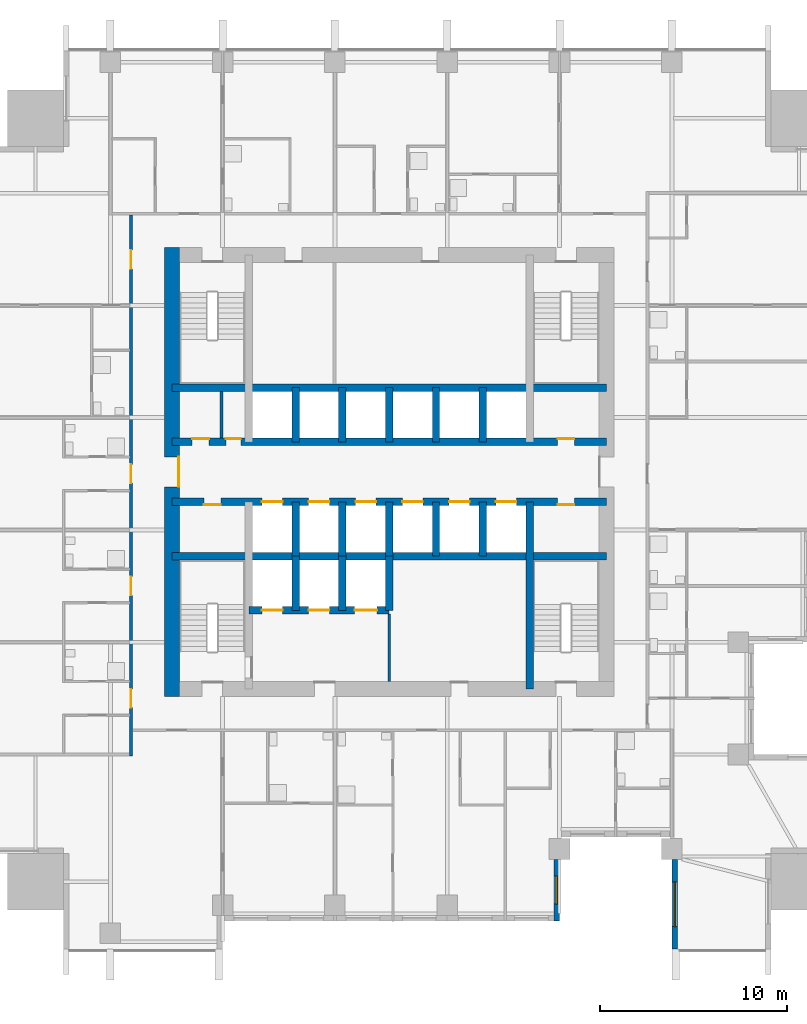
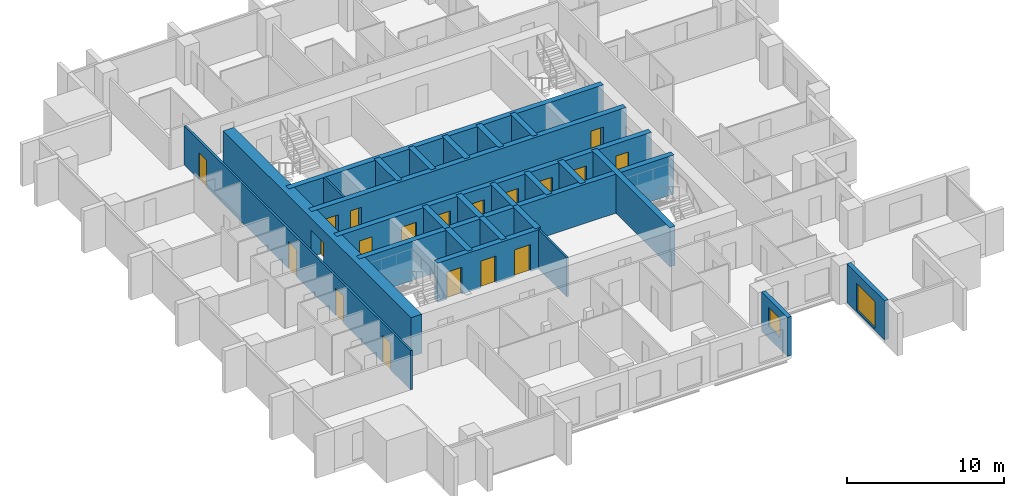
# One storey, part 5 of 10: 25 walls, 19 doors, 2 windows, 21 openings.
"""IFC4 building model written with IfcOpenShell, lengths in metres."""

from ifc_helpers import new_model, si_unit, direction, frame, frame_2d, origin, place, context, subcontext, project, spatial, rectangle, extrude, material, layer, layer_set, type_object, element, fill, save


model = new_model("IFC4")

# Units and contexts
model_context = context("Model", 3, precision=1e-05, world=origin(), true_north=direction((0.0, 1.0)))
body_context = subcontext(model_context, "Body", "Model", "MODEL_VIEW")
ifc_project = project(units=[si_unit("LENGTHUNIT", "METRE"), si_unit("AREAUNIT", "SQUARE_METRE"), si_unit("VOLUMEUNIT", "CUBIC_METRE"), si_unit("PLANEANGLEUNIT", "RADIAN"), si_unit("MASSUNIT", "GRAM", prefix="KILO")], contexts=[model_context])

# Site, building, storey
site_placement = place(None, origin())
site = spatial("IfcSite", under=ifc_project, at=site_placement, CompositionType="ELEMENT")
building_placement = place(site_placement, origin())
building = spatial("IfcBuilding", under=site, at=building_placement, Name="Amberfall Residences", CompositionType="ELEMENT")
storey_placement = place(building_placement, frame((0.0, 0.0, 105.10009765625)))
storey = spatial("IfcBuildingStorey", under=building, at=storey_placement, Name="L28", CompositionType="ELEMENT", Elevation=105.10009765625)

# Wall, opening, window
ifc_material_1 = material(Name="Pale stone cladding on insulated backing", Category="masonry")
ifc_layer_1 = layer(ifc_material_1, 0.300048828125)
ifc_layer_set_1 = layer_set([ifc_layer_1], Name="Bronze clad wall 300")
wall_type_1 = type_object("IfcWallType", Name="Bronze clad wall 300", PredefinedType="SOLIDWALL", material=ifc_layer_set_1)
wall_1_placement = place(storey_placement, frame((83.449951171875, 21.5, 0.0), z_axis=(0.0, 0.0, 1.0), x_axis=(0.0, 1.0, 0.0)))
wall_1 = element("IfcWall", 1, at=wall_1_placement, inside=storey, type_object=wall_type_1, Name="External wall L28 S", PredefinedType="SOLIDWALL", context=body_context, shape_type="SweptSolid", body=[
    extrude(rectangle(XDim=3.300048828125, YDim=0.300048828125, at=frame_2d((1.64990234375, 0.0))), origin(), (0.0, 0.0, 1.0), 3.0498046875),
])
opening_1_placement = place(wall_1_placement, frame((0.89990234375, 0.0, 0.89990234375)))
opening_1 = element("IfcOpeningElement", 2, at=opening_1_placement, cuts=wall_1, Name="Opening WN1", PredefinedType="OPENING", context=body_context, shape_type="SweptSolid", body=[
    extrude(rectangle(XDim=1.5, YDim=1.5, at=frame_2d((0.75, 0.75))), frame((0.0, 0.159912109375, 0.0), z_axis=(0.0, -1.0, 0.0), x_axis=(1.0, 0.0, 0.0)), (0.0, 0.0, 1.0), 0.320068359375),
])
ifc_material_2 = material(Name="Bronze aluminium framed glazing", Category="aluminium")
window_type_1 = type_object("IfcWindowType", Name="Window 1500 x 1500 bronze", PartitioningType="DOUBLE_PANEL_VERTICAL", PredefinedType="WINDOW", material=ifc_material_2)
window_1_placement = place(opening_1_placement, origin())
window_1 = element("IfcWindow", 3, at=window_1_placement, inside=storey, type_object=window_type_1, Name="Window L28 S", OverallHeight=1.5, OverallWidth=1.5, PartitioningType="DOUBLE_PANEL_VERTICAL", PredefinedType="WINDOW", context=body_context, shape_type="SweptSolid", body=[
    extrude(rectangle(XDim=1.5, YDim=1.5, at=frame_2d((0.75, 0.75))), frame((0.0, 0.030029296875, 0.0), z_axis=(0.0, -1.0, 0.0), x_axis=(1.0, 0.0, 0.0)), (0.0, 0.0, 1.0), 0.06005859375),
])
fill(opening_1, window_1)

wall_2_placement = place(storey_placement, frame((89.75, 24.800048828125, 0.0), z_axis=(0.0, 0.0, 1.0), x_axis=(0.0, -1.0, 0.0)))
wall_2 = element("IfcWall", 4, at=wall_2_placement, inside=storey, type_object=wall_type_1, Name="External wall L28 S", PredefinedType="SOLIDWALL", context=body_context, shape_type="SweptSolid", body=[
    extrude(rectangle(XDim=4.800048828125, YDim=0.300048828125, at=frame_2d((2.39990234375, 0.0))), origin(), (0.0, 0.0, 1.0), 3.0498046875),
])
opening_2_placement = place(wall_2_placement, frame((1.199951171875, 0.0, 0.14990234375)))
opening_2 = element("IfcOpeningElement", 5, at=opening_2_placement, cuts=wall_2, Name="Opening WN5", PredefinedType="OPENING", context=body_context, shape_type="SweptSolid", body=[
    extrude(rectangle(XDim=2.39990234375, YDim=2.10009765625, at=frame_2d((1.199951171875, 1.050048828125))), frame((0.0, 0.159912109375, 0.0), z_axis=(0.0, -1.0, 0.0), x_axis=(1.0, 0.0, 0.0)), (0.0, 0.0, 1.0), 0.320068359375),
])
window_type_2 = type_object("IfcWindowType", Name="Glazed opening 2400 x 2100 bronze", PartitioningType="DOUBLE_PANEL_VERTICAL", PredefinedType="WINDOW", material=ifc_material_2)
window_2_placement = place(opening_2_placement, origin())
window_2 = element("IfcWindow", 6, at=window_2_placement, inside=storey, type_object=window_type_2, Name="Window L28 S", OverallHeight=2.10009765625, OverallWidth=2.39990234375, PartitioningType="DOUBLE_PANEL_VERTICAL", PredefinedType="WINDOW", context=body_context, shape_type="SweptSolid", body=[
    extrude(rectangle(XDim=2.39990234375, YDim=2.10009765625, at=frame_2d((1.199951171875, 1.050048828125))), frame((0.0, 0.030029296875, 0.0), z_axis=(0.0, -1.0, 0.0), x_axis=(1.0, 0.0, 0.0)), (0.0, 0.0, 1.0), 0.06005859375),
])
fill(opening_2, window_2)

# Wall
ifc_material_3 = material(Name="Concrete C70", Category="concrete")
ifc_layer_2 = layer(ifc_material_3, 0.39990234375)
ifc_layer_set_2 = layer_set([ifc_layer_2], Name="Core wall 400 C70")
wall_type_2 = type_object("IfcWallType", Name="Core wall 400 C70", PredefinedType="SHEAR", material=ifc_layer_set_2)
wall_3_placement = place(storey_placement, frame((62.89990234375, 41.0, 0.0), z_axis=(0.0, 0.0, 1.0), x_axis=(1.0, 0.0, 0.0)))
element("IfcWall", 7, at=wall_3_placement, inside=storey, type_object=wall_type_2, Name="Core wall RW4 L28 H75", PredefinedType="SHEAR", context=body_context, shape_type="SweptSolid", body=[
    extrude(rectangle(XDim=23.2001953125, YDim=0.39990234375, at=frame_2d((11.60009765625, 0.0))), origin(), (0.0, 0.0, 1.0), 3.0498046875),
])

# Wall, openings, doors
wall_4_placement = place(storey_placement, frame((62.89990234375, 43.89990234375, 0.0), z_axis=(0.0, 0.0, 1.0), x_axis=(1.0, 0.0, 0.0)))
wall_4 = element("IfcWall", 8, at=wall_4_placement, inside=storey, type_object=wall_type_2, Name="Core wall RW4 L28 H104", PredefinedType="SHEAR", context=body_context, shape_type="SweptSolid", body=[
    extrude(rectangle(XDim=23.2001953125, YDim=0.39990234375, at=frame_2d((11.60009765625, 0.0))), origin(), (0.0, 0.0, 1.0), 3.0498046875),
])
opening_3_placement = place(wall_4_placement, frame((1.699951171875, 0.0, 0.0)))
opening_3 = element("IfcOpeningElement", 9, at=opening_3_placement, cuts=wall_4, Name="Opening RD1", PredefinedType="OPENING", context=body_context, shape_type="SweptSolid", body=[
    extrude(rectangle(XDim=0.89990234375, YDim=2.10009765625, at=frame_2d((0.449951171875, 1.050048828125))), frame((0.0, 0.2099609375, 0.0), z_axis=(0.0, -1.0, 0.0), x_axis=(1.0, 0.0, 0.0)), (0.0, 0.0, 1.0), 0.419921875),
])
opening_4_placement = place(wall_4_placement, frame((20.60009765625, 0.0, 0.0)))
opening_4 = element("IfcOpeningElement", 10, at=opening_4_placement, cuts=wall_4, Name="Opening RD1", PredefinedType="OPENING", context=body_context, shape_type="SweptSolid", body=[
    extrude(rectangle(XDim=0.89990234375, YDim=2.10009765625, at=frame_2d((0.449951171875, 1.050048828125))), frame((0.0, 0.2099609375, 0.0), z_axis=(0.0, -1.0, 0.0), x_axis=(1.0, 0.0, 0.0)), (0.0, 0.0, 1.0), 0.419921875),
])
opening_5_placement = place(wall_4_placement, frame((4.800048828125, 0.0, 0.0)))
opening_5 = element("IfcOpeningElement", 11, at=opening_5_placement, cuts=wall_4, Name="Opening LD1", PredefinedType="OPENING", context=body_context, shape_type="SweptSolid", body=[
    extrude(rectangle(XDim=1.10009765625, YDim=2.10009765625, at=frame_2d((0.550048828125, 1.050048828125))), frame((0.0, 0.2099609375, 0.0), z_axis=(0.0, -1.0, 0.0), x_axis=(1.0, 0.0, 0.0)), (0.0, 0.0, 1.0), 0.419921875),
])
opening_6_placement = place(wall_4_placement, frame((7.300048828125, 0.0, 0.0)))
opening_6 = element("IfcOpeningElement", 12, at=opening_6_placement, cuts=wall_4, Name="Opening LD1", PredefinedType="OPENING", context=body_context, shape_type="SweptSolid", body=[
    extrude(rectangle(XDim=1.10009765625, YDim=2.10009765625, at=frame_2d((0.550048828125, 1.050048828125))), frame((0.0, 0.2099609375, 0.0), z_axis=(0.0, -1.0, 0.0), x_axis=(1.0, 0.0, 0.0)), (0.0, 0.0, 1.0), 0.419921875),
])
opening_7_placement = place(wall_4_placement, frame((9.800048828125, 0.0, 0.0)))
opening_7 = element("IfcOpeningElement", 13, at=opening_7_placement, cuts=wall_4, Name="Opening LD1", PredefinedType="OPENING", context=body_context, shape_type="SweptSolid", body=[
    extrude(rectangle(XDim=1.10009765625, YDim=2.10009765625, at=frame_2d((0.550048828125, 1.050048828125))), frame((0.0, 0.2099609375, 0.0), z_axis=(0.0, -1.0, 0.0), x_axis=(1.0, 0.0, 0.0)), (0.0, 0.0, 1.0), 0.419921875),
])
opening_8_placement = place(wall_4_placement, frame((12.300048828125, 0.0, 0.0)))
opening_8 = element("IfcOpeningElement", 14, at=opening_8_placement, cuts=wall_4, Name="Opening LD1", PredefinedType="OPENING", context=body_context, shape_type="SweptSolid", body=[
    extrude(rectangle(XDim=1.10009765625, YDim=2.10009765625, at=frame_2d((0.550048828125, 1.050048828125))), frame((0.0, 0.2099609375, 0.0), z_axis=(0.0, -1.0, 0.0), x_axis=(1.0, 0.0, 0.0)), (0.0, 0.0, 1.0), 0.419921875),
])
opening_9_placement = place(wall_4_placement, frame((14.800048828125, 0.0, 0.0)))
opening_9 = element("IfcOpeningElement", 15, at=opening_9_placement, cuts=wall_4, Name="Opening LD1", PredefinedType="OPENING", context=body_context, shape_type="SweptSolid", body=[
    extrude(rectangle(XDim=1.10009765625, YDim=2.10009765625, at=frame_2d((0.550048828125, 1.050048828125))), frame((0.0, 0.2099609375, 0.0), z_axis=(0.0, -1.0, 0.0), x_axis=(1.0, 0.0, 0.0)), (0.0, 0.0, 1.0), 0.419921875),
])
opening_10_placement = place(wall_4_placement, frame((17.300048828125, 0.0, 0.0)))
opening_10 = element("IfcOpeningElement", 16, at=opening_10_placement, cuts=wall_4, Name="Opening LD1", PredefinedType="OPENING", context=body_context, shape_type="SweptSolid", body=[
    extrude(rectangle(XDim=1.10009765625, YDim=2.10009765625, at=frame_2d((0.550048828125, 1.050048828125))), frame((0.0, 0.2099609375, 0.0), z_axis=(0.0, -1.0, 0.0), x_axis=(1.0, 0.0, 0.0)), (0.0, 0.0, 1.0), 0.419921875),
])
ifc_material_4 = material(Name="Steel fire door set", Category="steel")
door_type_1 = type_object("IfcDoorType", Name="Lift landing door 1100 x 2100", OperationType="DOUBLE_DOOR_SLIDING", PredefinedType="DOOR", material=ifc_material_4)
door_1_placement = place(opening_5_placement, origin())
door_1 = element("IfcDoor", 17, at=door_1_placement, inside=storey, type_object=door_type_1, Name="Landing door LP1 L28", OperationType="DOUBLE_DOOR_SLIDING", OverallHeight=2.10009765625, OverallWidth=1.10009765625, PredefinedType="DOOR", context=body_context, shape_type="SweptSolid", body=[
    extrude(rectangle(XDim=1.10009765625, YDim=2.10009765625, at=frame_2d((0.550048828125, 1.050048828125))), frame((0.0, 0.02490234375, 0.0), z_axis=(0.0, -1.0, 0.0), x_axis=(1.0, 0.0, 0.0)), (0.0, 0.0, 1.0), 0.050048828125),
])
fill(opening_5, door_1)
door_2_placement = place(opening_6_placement, origin())
door_2 = element("IfcDoor", 18, at=door_2_placement, inside=storey, type_object=door_type_1, Name="Landing door LP2 L28", OperationType="DOUBLE_DOOR_SLIDING", OverallHeight=2.10009765625, OverallWidth=1.10009765625, PredefinedType="DOOR", context=body_context, shape_type="SweptSolid", body=[
    extrude(rectangle(XDim=1.10009765625, YDim=2.10009765625, at=frame_2d((0.550048828125, 1.050048828125))), frame((0.0, 0.02490234375, 0.0), z_axis=(0.0, -1.0, 0.0), x_axis=(1.0, 0.0, 0.0)), (0.0, 0.0, 1.0), 0.050048828125),
])
fill(opening_6, door_2)
door_3_placement = place(opening_7_placement, origin())
door_3 = element("IfcDoor", 19, at=door_3_placement, inside=storey, type_object=door_type_1, Name="Landing door LP3 L28", OperationType="DOUBLE_DOOR_SLIDING", OverallHeight=2.10009765625, OverallWidth=1.10009765625, PredefinedType="DOOR", context=body_context, shape_type="SweptSolid", body=[
    extrude(rectangle(XDim=1.10009765625, YDim=2.10009765625, at=frame_2d((0.550048828125, 1.050048828125))), frame((0.0, 0.02490234375, 0.0), z_axis=(0.0, -1.0, 0.0), x_axis=(1.0, 0.0, 0.0)), (0.0, 0.0, 1.0), 0.050048828125),
])
fill(opening_7, door_3)
door_4_placement = place(opening_8_placement, origin())
door_4 = element("IfcDoor", 20, at=door_4_placement, inside=storey, type_object=door_type_1, Name="Landing door LP4 L28", OperationType="DOUBLE_DOOR_SLIDING", OverallHeight=2.10009765625, OverallWidth=1.10009765625, PredefinedType="DOOR", context=body_context, shape_type="SweptSolid", body=[
    extrude(rectangle(XDim=1.10009765625, YDim=2.10009765625, at=frame_2d((0.550048828125, 1.050048828125))), frame((0.0, 0.02490234375, 0.0), z_axis=(0.0, -1.0, 0.0), x_axis=(1.0, 0.0, 0.0)), (0.0, 0.0, 1.0), 0.050048828125),
])
fill(opening_8, door_4)
door_5_placement = place(opening_9_placement, origin())
door_5 = element("IfcDoor", 21, at=door_5_placement, inside=storey, type_object=door_type_1, Name="Landing door LP5 L28", OperationType="DOUBLE_DOOR_SLIDING", OverallHeight=2.10009765625, OverallWidth=1.10009765625, PredefinedType="DOOR", context=body_context, shape_type="SweptSolid", body=[
    extrude(rectangle(XDim=1.10009765625, YDim=2.10009765625, at=frame_2d((0.550048828125, 1.050048828125))), frame((0.0, 0.02490234375, 0.0), z_axis=(0.0, -1.0, 0.0), x_axis=(1.0, 0.0, 0.0)), (0.0, 0.0, 1.0), 0.050048828125),
])
fill(opening_9, door_5)
door_6_placement = place(opening_10_placement, origin())
door_6 = element("IfcDoor", 22, at=door_6_placement, inside=storey, type_object=door_type_1, Name="Landing door LP6 L28", OperationType="DOUBLE_DOOR_SLIDING", OverallHeight=2.10009765625, OverallWidth=1.10009765625, PredefinedType="DOOR", context=body_context, shape_type="SweptSolid", body=[
    extrude(rectangle(XDim=1.10009765625, YDim=2.10009765625, at=frame_2d((0.550048828125, 1.050048828125))), frame((0.0, 0.02490234375, 0.0), z_axis=(0.0, -1.0, 0.0), x_axis=(1.0, 0.0, 0.0)), (0.0, 0.0, 1.0), 0.050048828125),
])
fill(opening_10, door_6)
door_type_2 = type_object("IfcDoorType", Name="Service room door 900 x 2100", OperationType="SINGLE_SWING_LEFT", PredefinedType="DOOR", material=ifc_material_4)
door_7_placement = place(opening_3_placement, origin())
door_7 = element("IfcDoor", 23, at=door_7_placement, inside=storey, type_object=door_type_2, Name="RD1 L28", OperationType="SINGLE_SWING_LEFT", OverallHeight=2.10009765625, OverallWidth=0.89990234375, PredefinedType="DOOR", context=body_context, shape_type="SweptSolid", body=[
    extrude(rectangle(XDim=0.89990234375, YDim=2.10009765625, at=frame_2d((0.449951171875, 1.050048828125))), frame((0.0, -0.1376953125, 0.0), z_axis=(0.0, -1.0, 0.0), x_axis=(1.0, 0.0, 0.0)), (0.0, 0.0, 1.0), 0.050048828125),
])
fill(opening_3, door_7)
door_8_placement = place(opening_4_placement, origin())
door_8 = element("IfcDoor", 24, at=door_8_placement, inside=storey, type_object=door_type_2, Name="RD1 L28", OperationType="SINGLE_SWING_LEFT", OverallHeight=2.10009765625, OverallWidth=0.89990234375, PredefinedType="DOOR", context=body_context, shape_type="SweptSolid", body=[
    extrude(rectangle(XDim=0.89990234375, YDim=2.10009765625, at=frame_2d((0.449951171875, 1.050048828125))), frame((0.0, -0.1376953125, 0.0), z_axis=(0.0, -1.0, 0.0), x_axis=(1.0, 0.0, 0.0)), (0.0, 0.0, 1.0), 0.050048828125),
])
fill(opening_4, door_8)

wall_5_placement = place(storey_placement, frame((62.89990234375, 47.10009765625, 0.0), z_axis=(0.0, 0.0, 1.0), x_axis=(1.0, 0.0, 0.0)))
wall_5 = element("IfcWall", 25, at=wall_5_placement, inside=storey, type_object=wall_type_2, Name="Core wall RW4 L28 H136", PredefinedType="SHEAR", context=body_context, shape_type="SweptSolid", body=[
    extrude(rectangle(XDim=23.2001953125, YDim=0.39990234375, at=frame_2d((11.60009765625, 0.0))), origin(), (0.0, 0.0, 1.0), 3.0498046875),
])
opening_11_placement = place(wall_5_placement, frame((1.070068359375, 0.0, 0.0)))
opening_11 = element("IfcOpeningElement", 26, at=opening_11_placement, cuts=wall_5, Name="Opening RD1", PredefinedType="OPENING", context=body_context, shape_type="SweptSolid", body=[
    extrude(rectangle(XDim=0.89990234375, YDim=2.10009765625, at=frame_2d((0.449951171875, 1.050048828125))), frame((0.0, 0.2099609375, 0.0), z_axis=(0.0, -1.0, 0.0), x_axis=(1.0, 0.0, 0.0)), (0.0, 0.0, 1.0), 0.419921875),
])
opening_12_placement = place(wall_5_placement, frame((2.8701171875, 0.0, 0.0)))
opening_12 = element("IfcOpeningElement", 27, at=opening_12_placement, cuts=wall_5, Name="Opening RD2", PredefinedType="OPENING", context=body_context, shape_type="SweptSolid", body=[
    extrude(rectangle(XDim=0.800048828125, YDim=2.10009765625, at=frame_2d((0.39990234375, 1.050048828125))), frame((0.0, 0.2099609375, 0.0), z_axis=(0.0, -1.0, 0.0), x_axis=(1.0, 0.0, 0.0)), (0.0, 0.0, 1.0), 0.419921875),
])
opening_13_placement = place(wall_5_placement, frame((20.60009765625, 0.0, 0.0)))
opening_13 = element("IfcOpeningElement", 28, at=opening_13_placement, cuts=wall_5, Name="Opening RD1", PredefinedType="OPENING", context=body_context, shape_type="SweptSolid", body=[
    extrude(rectangle(XDim=0.89990234375, YDim=2.10009765625, at=frame_2d((0.449951171875, 1.050048828125))), frame((0.0, 0.2099609375, 0.0), z_axis=(0.0, -1.0, 0.0), x_axis=(1.0, 0.0, 0.0)), (0.0, 0.0, 1.0), 0.419921875),
])
door_type_3 = type_object("IfcDoorType", Name="Service room door 800 x 2100", OperationType="SINGLE_SWING_LEFT", PredefinedType="DOOR", material=ifc_material_4)
door_9_placement = place(opening_12_placement, origin())
door_9 = element("IfcDoor", 29, at=door_9_placement, inside=storey, type_object=door_type_3, Name="RD2 L28", OperationType="SINGLE_SWING_RIGHT", OverallHeight=2.10009765625, OverallWidth=0.800048828125, PredefinedType="DOOR", context=body_context, shape_type="SweptSolid", body=[
    extrude(rectangle(XDim=0.800048828125, YDim=2.10009765625, at=frame_2d((0.39990234375, 1.050048828125))), frame((0.0, 0.1875, 0.0), z_axis=(0.0, -1.0, 0.0), x_axis=(1.0, 0.0, 0.0)), (0.0, 0.0, 1.0), 0.050048828125),
])
fill(opening_12, door_9)
door_10_placement = place(opening_11_placement, origin())
door_10 = element("IfcDoor", 30, at=door_10_placement, inside=storey, type_object=door_type_2, Name="RD1 L28", OperationType="SINGLE_SWING_LEFT", OverallHeight=2.10009765625, OverallWidth=0.89990234375, PredefinedType="DOOR", context=body_context, shape_type="SweptSolid", body=[
    extrude(rectangle(XDim=0.89990234375, YDim=2.10009765625, at=frame_2d((0.449951171875, 1.050048828125))), frame((0.0, 0.1875, 0.0), z_axis=(0.0, -1.0, 0.0), x_axis=(1.0, 0.0, 0.0)), (0.0, 0.0, 1.0), 0.050048828125),
])
fill(opening_11, door_10)
door_11_placement = place(opening_13_placement, origin())
door_11 = element("IfcDoor", 31, at=door_11_placement, inside=storey, type_object=door_type_2, Name="RD1 L28", OperationType="SINGLE_SWING_LEFT", OverallHeight=2.10009765625, OverallWidth=0.89990234375, PredefinedType="DOOR", context=body_context, shape_type="SweptSolid", body=[
    extrude(rectangle(XDim=0.89990234375, YDim=2.10009765625, at=frame_2d((0.449951171875, 1.050048828125))), frame((0.0, 0.1875, 0.0), z_axis=(0.0, -1.0, 0.0), x_axis=(1.0, 0.0, 0.0)), (0.0, 0.0, 1.0), 0.050048828125),
])
fill(opening_13, door_11)

# Walls
wall_6_placement = place(storey_placement, frame((62.89990234375, 50.0, 0.0), z_axis=(0.0, 0.0, 1.0), x_axis=(1.0, 0.0, 0.0)))
element("IfcWall", 32, at=wall_6_placement, inside=storey, type_object=wall_type_2, Name="Core wall RW4 L28 H165", PredefinedType="SHEAR", context=body_context, shape_type="SweptSolid", body=[
    extrude(rectangle(XDim=23.2001953125, YDim=0.39990234375, at=frame_2d((11.60009765625, 0.0))), origin(), (0.0, 0.0, 1.0), 3.0498046875),
])
wall_7_placement = place(storey_placement, frame((82.0, 33.89990234375, 0.0), z_axis=(0.0, 0.0, 1.0), x_axis=(0.0, 1.0, 0.0)))
element("IfcWall", 33, at=wall_7_placement, inside=storey, type_object=wall_type_2, Name="Core wall RW4 L28 V195S", PredefinedType="SHEAR", context=body_context, shape_type="SweptSolid", body=[
    extrude(rectangle(XDim=10.0, YDim=0.39990234375, at=frame_2d((5.0, 0.0))), origin(), (0.0, 0.0, 1.0), 3.0498046875),
])
for number, where, z_axis, x_axis, name in (
    (34, (69.5, 41.0, 0.0), (0.0, 0.0, 1.0), (0.0, 1.0, 0.0), "Core wall RW4 L28 LPD1"),
    (35, (69.5, 47.10009765625, 0.0), (0.0, 0.0, 1.0), (0.0, 1.0, 0.0), "Core wall RW4 L28 HPD1"),
    (36, (72.0, 41.0, 0.0), (0.0, 0.0, 1.0), (0.0, 1.0, 0.0), "Core wall RW4 L28 LPD2"),
    (37, (72.0, 47.10009765625, 0.0), (0.0, 0.0, 1.0), (0.0, 1.0, 0.0), "Core wall RW4 L28 HPD2"),
    (38, (74.5, 41.0, 0.0), (0.0, 0.0, 1.0), (0.0, 1.0, 0.0), "Core wall RW4 L28 LPD3"),
    (39, (74.5, 47.10009765625, 0.0), (0.0, 0.0, 1.0), (0.0, 1.0, 0.0), "Core wall RW4 L28 HPD3"),
    (40, (77.0, 41.0, 0.0), (0.0, 0.0, 1.0), (0.0, 1.0, 0.0), "Core wall RW4 L28 LPD4"),
    (41, (77.0, 47.10009765625, 0.0), (0.0, 0.0, 1.0), (0.0, 1.0, 0.0), "Core wall RW4 L28 HPD4"),
    (42, (79.5, 41.0, 0.0), (0.0, 0.0, 1.0), (0.0, 1.0, 0.0), "Core wall RW4 L28 LPD5"),
    (43, (79.5, 47.10009765625, 0.0), (0.0, 0.0, 1.0), (0.0, 1.0, 0.0), "Core wall RW4 L28 HPD5"),
):
    element("IfcWall", number, at=place(storey_placement, frame(where, z_axis=z_axis, x_axis=x_axis)), inside=storey, type_object=wall_type_2, Name=name, PredefinedType="SHEAR", context=body_context, shape_type="SweptSolid", body=[
        extrude(rectangle(XDim=2.89990234375, YDim=0.39990234375, at=frame_2d((1.449951171875, 0.0))), origin(), (0.0, 0.0, 1.0), 3.0498046875),
    ])

# Wall, openings, doors
wall_8_placement = place(storey_placement, frame((67.0, 38.10009765625, 0.0), z_axis=(0.0, 0.0, 1.0), x_axis=(1.0, 0.0, 0.0)))
wall_8 = element("IfcWall", 44, at=wall_8_placement, inside=storey, type_object=wall_type_2, Name="Core wall RW4 L28 FFF", PredefinedType="SHEAR", context=body_context, shape_type="SweptSolid", body=[
    extrude(rectangle(XDim=7.5, YDim=0.39990234375, at=frame_2d((3.75, 0.0))), origin(), (0.0, 0.0, 1.0), 3.0498046875),
])
opening_14_placement = place(wall_8_placement, frame((0.699951171875, 0.0, 0.0)))
opening_14 = element("IfcOpeningElement", 45, at=opening_14_placement, cuts=wall_8, Name="Opening LD2", PredefinedType="OPENING", context=body_context, shape_type="SweptSolid", body=[
    extrude(rectangle(XDim=1.10009765625, YDim=2.10009765625, at=frame_2d((0.550048828125, 1.050048828125))), frame((0.0, 0.2099609375, 0.0), z_axis=(0.0, -1.0, 0.0), x_axis=(1.0, 0.0, 0.0)), (0.0, 0.0, 1.0), 0.419921875),
])
opening_15_placement = place(wall_8_placement, frame((3.199951171875, 0.0, 0.0)))
opening_15 = element("IfcOpeningElement", 46, at=opening_15_placement, cuts=wall_8, Name="Opening LD2", PredefinedType="OPENING", context=body_context, shape_type="SweptSolid", body=[
    extrude(rectangle(XDim=1.10009765625, YDim=2.10009765625, at=frame_2d((0.550048828125, 1.050048828125))), frame((0.0, 0.2099609375, 0.0), z_axis=(0.0, -1.0, 0.0), x_axis=(1.0, 0.0, 0.0)), (0.0, 0.0, 1.0), 0.419921875),
])
opening_16_placement = place(wall_8_placement, frame((5.64990234375, 0.0, 0.0)))
opening_16 = element("IfcOpeningElement", 47, at=opening_16_placement, cuts=wall_8, Name="Opening LD3", PredefinedType="OPENING", context=body_context, shape_type="SweptSolid", body=[
    extrude(rectangle(XDim=1.199951171875, YDim=2.10009765625, at=frame_2d((0.60009765625, 1.050048828125))), frame((0.0, 0.2099609375, 0.0), z_axis=(0.0, -1.0, 0.0), x_axis=(1.0, 0.0, 0.0)), (0.0, 0.0, 1.0), 0.419921875),
])
door_type_4 = type_object("IfcDoorType", Name="Firefighting lift landing door 1100 x 2100", OperationType="DOUBLE_DOOR_SLIDING", PredefinedType="DOOR", material=ifc_material_4)
door_12_placement = place(opening_14_placement, origin())
door_12 = element("IfcDoor", 48, at=door_12_placement, inside=storey, type_object=door_type_4, Name="Landing door FF1 L28", OperationType="DOUBLE_DOOR_SLIDING", OverallHeight=2.10009765625, OverallWidth=1.10009765625, PredefinedType="DOOR", context=body_context, shape_type="SweptSolid", body=[
    extrude(rectangle(XDim=1.10009765625, YDim=2.10009765625, at=frame_2d((0.550048828125, 1.050048828125))), frame((0.0, 0.02490234375, 0.0), z_axis=(0.0, -1.0, 0.0), x_axis=(1.0, 0.0, 0.0)), (0.0, 0.0, 1.0), 0.050048828125),
])
fill(opening_14, door_12)
door_13_placement = place(opening_15_placement, origin())
door_13 = element("IfcDoor", 49, at=door_13_placement, inside=storey, type_object=door_type_4, Name="Landing door FF2 L28", OperationType="DOUBLE_DOOR_SLIDING", OverallHeight=2.10009765625, OverallWidth=1.10009765625, PredefinedType="DOOR", context=body_context, shape_type="SweptSolid", body=[
    extrude(rectangle(XDim=1.10009765625, YDim=2.10009765625, at=frame_2d((0.550048828125, 1.050048828125))), frame((0.0, 0.02490234375, 0.0), z_axis=(0.0, -1.0, 0.0), x_axis=(1.0, 0.0, 0.0)), (0.0, 0.0, 1.0), 0.050048828125),
])
fill(opening_15, door_13)
door_type_5 = type_object("IfcDoorType", Name="Service lift landing door 1200 x 2100", OperationType="DOUBLE_DOOR_SLIDING", PredefinedType="DOOR", material=ifc_material_4)
door_14_placement = place(opening_16_placement, origin())
door_14 = element("IfcDoor", 50, at=door_14_placement, inside=storey, type_object=door_type_5, Name="Landing door SL1 L28", OperationType="DOUBLE_DOOR_SLIDING", OverallHeight=2.10009765625, OverallWidth=1.199951171875, PredefinedType="DOOR", context=body_context, shape_type="SweptSolid", body=[
    extrude(rectangle(XDim=1.199951171875, YDim=2.10009765625, at=frame_2d((0.60009765625, 1.050048828125))), frame((0.0, 0.02490234375, 0.0), z_axis=(0.0, -1.0, 0.0), x_axis=(1.0, 0.0, 0.0)), (0.0, 0.0, 1.0), 0.050048828125),
])
fill(opening_16, door_14)

# Walls
for number, where, z_axis, x_axis, name in (
    (51, (69.5, 38.10009765625, 0.0), (0.0, 0.0, 1.0), (0.0, 1.0, 0.0), "Core wall RW4 L28 FFD1"),
    (52, (72.0, 38.10009765625, 0.0), (0.0, 0.0, 1.0), (0.0, 1.0, 0.0), "Core wall RW4 L28 FFD2"),
    (53, (74.5, 38.10009765625, 0.0), (0.0, 0.0, 1.0), (0.0, 1.0, 0.0), "Core wall RW4 L28 FFD3"),
):
    element("IfcWall", number, at=place(storey_placement, frame(where, z_axis=z_axis, x_axis=x_axis)), inside=storey, type_object=wall_type_2, Name=name, PredefinedType="SHEAR", context=body_context, shape_type="SweptSolid", body=[
        extrude(rectangle(XDim=2.89990234375, YDim=0.39990234375, at=frame_2d((1.449951171875, 0.0))), origin(), (0.0, 0.0, 1.0), 3.0498046875),
    ])

# Wall, opening, door
ifc_layer_3 = layer(ifc_material_3, 0.800048828125)
ifc_layer_set_3 = layer_set([ifc_layer_3], Name="Core wall 800 C70")
wall_type_3 = type_object("IfcWallType", Name="Core wall 800 C70", PredefinedType="SHEAR", material=ifc_layer_set_3)
wall_9_placement = place(storey_placement, frame((62.89990234375, 33.5, 0.0), z_axis=(0.0, 0.0, 1.0), x_axis=(0.0, 1.0, 0.0)))
wall_9 = element("IfcWall", 54, at=wall_9_placement, inside=storey, type_object=wall_type_3, Name="Core wall RW3 L28 OW", PredefinedType="SHEAR", context=body_context, shape_type="SweptSolid", body=[
    extrude(rectangle(XDim=24.0, YDim=0.800048828125, at=frame_2d((12.0, 0.0))), origin(), (0.0, 0.0, 1.0), 3.0498046875),
])
opening_17_placement = place(wall_9_placement, frame((11.199951171875, 0.0, 0.0)))
opening_17 = element("IfcOpeningElement", 55, at=opening_17_placement, cuts=wall_9, Name="Opening LB1", PredefinedType="OPENING", context=body_context, shape_type="SweptSolid", body=[
    extrude(rectangle(XDim=1.60009765625, YDim=2.10009765625, at=frame_2d((0.800048828125, 1.050048828125))), frame((0.0, 0.409912109375, 0.0), z_axis=(0.0, -1.0, 0.0), x_axis=(1.0, 0.0, 0.0)), (0.0, 0.0, 1.0), 0.820068359375),
])
door_type_6 = type_object("IfcDoorType", Name="Lift lobby double door 1600 x 2100", OperationType="DOUBLE_DOOR_SINGLE_SWING", PredefinedType="DOOR", material=ifc_material_4)
door_15_placement = place(opening_17_placement, origin())
door_15 = element("IfcDoor", 56, at=door_15_placement, inside=storey, type_object=door_type_6, Name="LB1 L28", OperationType="DOUBLE_DOOR_SINGLE_SWING", OverallHeight=2.10009765625, OverallWidth=1.60009765625, PredefinedType="DOOR", context=body_context, shape_type="SweptSolid", body=[
    extrude(rectangle(XDim=1.60009765625, YDim=2.10009765625, at=frame_2d((0.800048828125, 1.050048828125))), frame((0.0, -0.33740234375, 0.0), z_axis=(0.0, -1.0, 0.0), x_axis=(1.0, 0.0, 0.0)), (0.0, 0.0, 1.0), 0.050048828125),
])
fill(opening_17, door_15)

# Wall, openings, doors
ifc_material_5 = material(Name="Blockwork, plastered", Category="masonry")
ifc_layer_4 = layer(ifc_material_5, 0.14990234375)
ifc_layer_set_4 = layer_set([ifc_layer_4], Name="Flat separating wall 150")
wall_type_4 = type_object("IfcWallType", Name="Flat separating wall 150", PredefinedType="PARTITIONING", material=ifc_layer_set_4)
wall_10_placement = place(storey_placement, frame((60.699951171875, 30.324951171875, 0.0), z_axis=(0.0, 0.0, 1.0), x_axis=(0.0, 1.0, 0.0)))
wall_10 = element("IfcWall", 57, at=wall_10_placement, inside=storey, type_object=wall_type_4, Name="Separating wall 047", PredefinedType="PARTITIONING", context=body_context, shape_type="SweptSolid", body=[
    extrude(rectangle(XDim=28.900146484375, YDim=0.14990234375, at=frame_2d((14.4501953125, 0.0))), origin(), (0.0, 0.0, 1.0), 3.0498046875),
])
opening_18_placement = place(wall_10_placement, frame((2.574951171875, 0.0, 0.0)))
opening_18 = element("IfcOpeningElement", 58, at=opening_18_placement, cuts=wall_10, Name="Opening D40", PredefinedType="OPENING", context=body_context, shape_type="SweptSolid", body=[
    extrude(rectangle(XDim=1.0, YDim=2.10009765625, at=frame_2d((0.5, 1.050048828125))), frame((0.0, 0.0849609375, 0.0), z_axis=(0.0, -1.0, 0.0), x_axis=(1.0, 0.0, 0.0)), (0.0, 0.0, 1.0), 0.169921875),
])
opening_19_placement = place(wall_10_placement, frame((8.574951171875, 0.0, 0.0)))
opening_19 = element("IfcOpeningElement", 59, at=opening_19_placement, cuts=wall_10, Name="Opening D40", PredefinedType="OPENING", context=body_context, shape_type="SweptSolid", body=[
    extrude(rectangle(XDim=1.0, YDim=2.10009765625, at=frame_2d((0.5, 1.050048828125))), frame((0.0, 0.0849609375, 0.0), z_axis=(0.0, -1.0, 0.0), x_axis=(1.0, 0.0, 0.0)), (0.0, 0.0, 1.0), 0.169921875),
])
opening_20_placement = place(wall_10_placement, frame((14.574951171875, 0.0, 0.0)))
opening_20 = element("IfcOpeningElement", 60, at=opening_20_placement, cuts=wall_10, Name="Opening D40", PredefinedType="OPENING", context=body_context, shape_type="SweptSolid", body=[
    extrude(rectangle(XDim=1.0, YDim=2.10009765625, at=frame_2d((0.5, 1.050048828125))), frame((0.0, 0.0849609375, 0.0), z_axis=(0.0, -1.0, 0.0), x_axis=(1.0, 0.0, 0.0)), (0.0, 0.0, 1.0), 0.169921875),
])
opening_21_placement = place(wall_10_placement, frame((26.02490234375, 0.0, 0.0)))
opening_21 = element("IfcOpeningElement", 61, at=opening_21_placement, cuts=wall_10, Name="Opening D40", PredefinedType="OPENING", context=body_context, shape_type="SweptSolid", body=[
    extrude(rectangle(XDim=1.0, YDim=2.10009765625, at=frame_2d((0.5, 1.050048828125))), frame((0.0, 0.0849609375, 0.0), z_axis=(0.0, -1.0, 0.0), x_axis=(1.0, 0.0, 0.0)), (0.0, 0.0, 1.0), 0.169921875),
])
ifc_material_6 = material(Name="Timber, fire-rated", Category="wood")
door_type_7 = type_object("IfcDoorType", Name="Flat entrance door FD60 1000 x 2100", OperationType="SINGLE_SWING_LEFT", PredefinedType="DOOR", material=ifc_material_6)
door_16_placement = place(opening_18_placement, origin())
door_16 = element("IfcDoor", 62, at=door_16_placement, inside=storey, type_object=door_type_7, Name="Door 2810 entrance", OperationType="SINGLE_SWING_LEFT", OverallHeight=2.10009765625, OverallWidth=1.0, PredefinedType="DOOR", context=body_context, shape_type="SweptSolid", body=[
    extrude(rectangle(XDim=1.0, YDim=2.10009765625, at=frame_2d((0.5, 1.050048828125))), frame((0.0, 0.02490234375, 0.0), z_axis=(0.0, -1.0, 0.0), x_axis=(1.0, 0.0, 0.0)), (0.0, 0.0, 1.0), 0.050048828125),
])
fill(opening_18, door_16)
door_17_placement = place(opening_19_placement, origin())
door_17 = element("IfcDoor", 63, at=door_17_placement, inside=storey, type_object=door_type_7, Name="Door 2811 entrance", OperationType="SINGLE_SWING_LEFT", OverallHeight=2.10009765625, OverallWidth=1.0, PredefinedType="DOOR", context=body_context, shape_type="SweptSolid", body=[
    extrude(rectangle(XDim=1.0, YDim=2.10009765625, at=frame_2d((0.5, 1.050048828125))), frame((0.0, 0.02490234375, 0.0), z_axis=(0.0, -1.0, 0.0), x_axis=(1.0, 0.0, 0.0)), (0.0, 0.0, 1.0), 0.050048828125),
])
fill(opening_19, door_17)
door_18_placement = place(opening_20_placement, origin())
door_18 = element("IfcDoor", 64, at=door_18_placement, inside=storey, type_object=door_type_7, Name="Door 2812 entrance", OperationType="SINGLE_SWING_LEFT", OverallHeight=2.10009765625, OverallWidth=1.0, PredefinedType="DOOR", context=body_context, shape_type="SweptSolid", body=[
    extrude(rectangle(XDim=1.0, YDim=2.10009765625, at=frame_2d((0.5, 1.050048828125))), frame((0.0, 0.02490234375, 0.0), z_axis=(0.0, -1.0, 0.0), x_axis=(1.0, 0.0, 0.0)), (0.0, 0.0, 1.0), 0.050048828125),
])
fill(opening_20, door_18)
door_19_placement = place(opening_21_placement, origin())
door_19 = element("IfcDoor", 65, at=door_19_placement, inside=storey, type_object=door_type_7, Name="Door 2813 entrance", OperationType="SINGLE_SWING_LEFT", OverallHeight=2.10009765625, OverallWidth=1.0, PredefinedType="DOOR", context=body_context, shape_type="SweptSolid", body=[
    extrude(rectangle(XDim=1.0, YDim=2.10009765625, at=frame_2d((0.5, 1.050048828125))), frame((0.0, 0.02490234375, 0.0), z_axis=(0.0, -1.0, 0.0), x_axis=(1.0, 0.0, 0.0)), (0.0, 0.0, 1.0), 0.050048828125),
])
fill(opening_21, door_19)

# Walls
ifc_material_7 = material(Name="Concrete blockwork", Category="masonry")
ifc_layer_5 = layer(ifc_material_7, 0.14990234375)
ifc_layer_set_5 = layer_set([ifc_layer_5], Name="Riser wall 150")
wall_type_5 = type_object("IfcWallType", Name="Riser wall 150", PredefinedType="PLUMBINGWALL", material=ifc_layer_set_5)
wall_11_placement = place(storey_placement, frame((74.5, 34.300048828125, 0.0), z_axis=(0.0, 0.0, 1.0), x_axis=(0.0, 1.0, 0.0)))
element("IfcWall", 66, at=wall_11_placement, inside=storey, type_object=wall_type_5, Name="L28 core wall PX", PredefinedType="PLUMBINGWALL", context=body_context, shape_type="SweptSolid", body=[
    extrude(rectangle(XDim=3.599853515625, YDim=0.14990234375, at=frame_2d((1.7998046875, 0.0))), origin(), (0.0, 0.0, 1.0), 3.0498046875),
])
wall_12_placement = place(storey_placement, frame((65.5400390625, 47.300048828125, 0.0), z_axis=(0.0, 0.0, 1.0), x_axis=(0.0, 1.0, 0.0)))
element("IfcWall", 67, at=wall_12_placement, inside=storey, type_object=wall_type_5, Name="L28 core wall ANW0", PredefinedType="PLUMBINGWALL", context=body_context, shape_type="SweptSolid", body=[
    extrude(rectangle(XDim=2.5, YDim=0.14990234375, at=frame_2d((1.25, 0.0))), origin(), (0.0, 0.0, 1.0), 3.0498046875),
])

save(model, "model.ifc")
